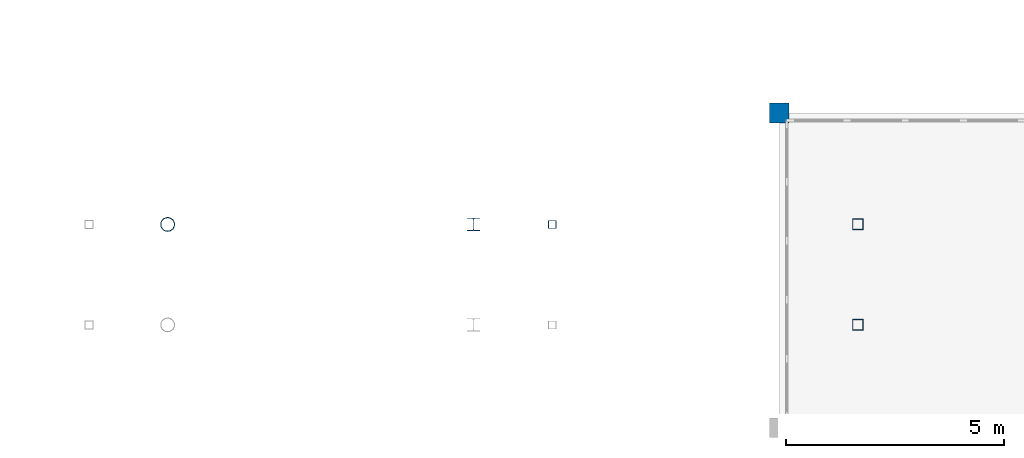
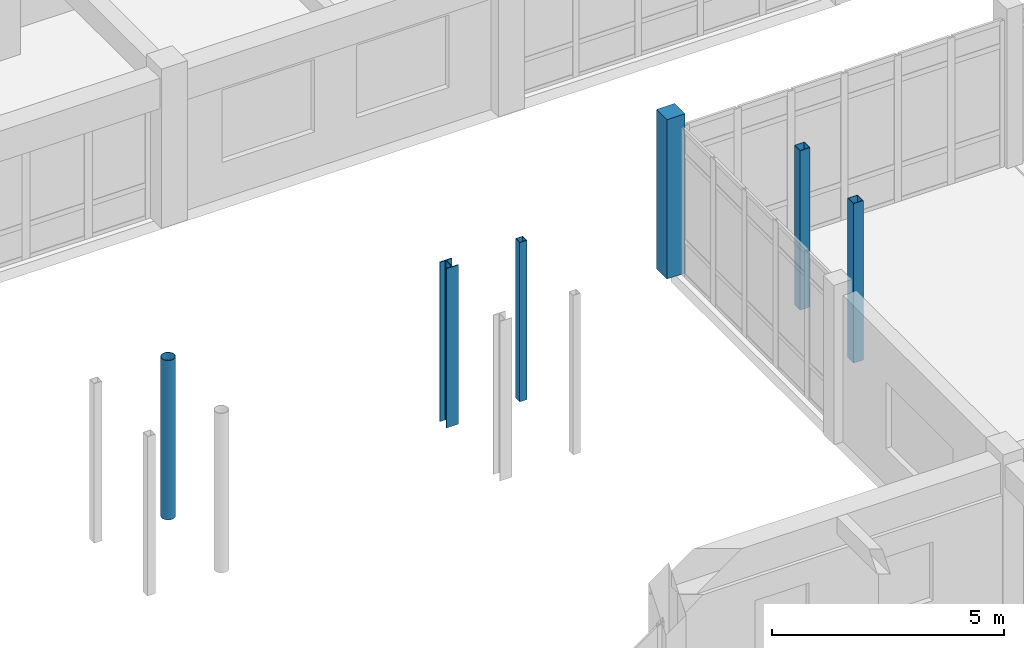
# One storey, part 27 of 147: 6 columns.
"""IFC4 building model written with IfcOpenShell, lengths in metres."""

from ifc_helpers import new_model, si_unit, direction, frame, origin, origin_2d, place, context, subcontext, project, spatial, rectangle, hollow_rectangle, hollow_circle, i_section, extrude, material, material_profile, profile_set, type_object, element, save


model = new_model("IFC4")

# Units and contexts
model_context = context("Model", 3, precision=1e-05, world=origin(), true_north=direction((0.0, 1.0)))
body_context = subcontext(model_context, "Body", "Model", "MODEL_VIEW")
ifc_project = project(units=[si_unit("LENGTHUNIT", "METRE"), si_unit("AREAUNIT", "SQUARE_METRE"), si_unit("VOLUMEUNIT", "CUBIC_METRE"), si_unit("PLANEANGLEUNIT", "RADIAN"), si_unit("MASSUNIT", "GRAM", prefix="KILO")], contexts=[model_context])

# Site, building, storey
site_placement = place(None, origin())
site = spatial("IfcSite", under=ifc_project, at=site_placement, CompositionType="ELEMENT")
building_placement = place(site_placement, origin())
building = spatial("IfcBuilding", under=site, at=building_placement, Name="Malvenik Polytechnic", CompositionType="ELEMENT")
storey_placement = place(building_placement, frame((0.0, 0.0, 5.10009765625)))
storey = spatial("IfcBuildingStorey", under=building, at=storey_placement, Name="L01", CompositionType="ELEMENT", Elevation=5.10009765625)

# Columns
ifc_material_1 = material(Name="Concrete C35/45", Category="concrete")
ifc_material_profile_1 = material_profile(ifc_material_1, rectangle(XDim=0.449951171875, YDim=0.449951171875, at=origin_2d()), Name="RC COL 450x450")
ifc_profile_set_1 = profile_set([ifc_material_profile_1], Name="Concrete C35/45")
column_type_1 = type_object("IfcColumnType", Name="STR-COL-C-09", PredefinedType="COLUMN", material=ifc_profile_set_1)
column_1_placement = place(storey_placement, frame((126.0, 108.0, 0.0), z_axis=(0.0, 0.0, 1.0), x_axis=(1.0, 0.0, 0.0)))
element("IfcColumn", 1, at=column_1_placement, inside=storey, type_object=column_type_1, Name="Column C-09 L01 (126.0,108.0)", PredefinedType="COLUMN", context=body_context, shape_type="SweptSolid", body=[
    extrude(rectangle(XDim=0.449951171875, YDim=0.449951171875, at=origin_2d()), origin(), (0.0, 0.0, 1.0), 4.199951171875),
])
ifc_material_2 = material(Name="Steel S355J2H", Category="steel")
ifc_material_profile_2 = material_profile(ifc_material_2, hollow_rectangle(XDim=0.25, YDim=0.25, WallThickness=0.010009765625, at=origin_2d()), Name="SHS 250x250x10.0")
ifc_profile_set_2 = profile_set([ifc_material_profile_2], Name="Steel S355J2H")
column_type_2 = type_object("IfcColumnType", Name="STR-SCOL-SC-01", PredefinedType="COLUMN", material=ifc_profile_set_2)
for number, where, z_axis, x_axis, name in (
    (2, (127.800048828125, 103.14990234375, 0.0), (0.0, 0.0, 1.0), (1.0, 0.0, 0.0), "Bridge-Ramp Support Column SC-01 L01"),
    (3, (127.800048828125, 105.449951171875, 0.0), (0.0, 0.0, 1.0), (1.0, 0.0, 0.0), "Bridge-Ramp Support Column SC-01 L01"),
):
    element("IfcColumn", number, at=place(storey_placement, frame(where, z_axis=z_axis, x_axis=x_axis)), inside=storey, type_object=column_type_2, Name=name, PredefinedType="COLUMN", context=body_context, shape_type="SweptSolid", body=[
        extrude(hollow_rectangle(XDim=0.25, YDim=0.25, WallThickness=0.010009765625, at=origin_2d()), origin(), (0.0, 0.0, 1.0), 4.199951171875),
    ])
ifc_material_profile_3 = material_profile(ifc_material_2, hollow_circle(Radius=0.161865234375, WallThickness=0.012451171875, at=origin_2d()), Name="CHS 323.9x12.5")
ifc_profile_set_3 = profile_set([ifc_material_profile_3], Name="Steel S355J2H")
column_type_3 = type_object("IfcColumnType", Name="STR-SCOL-SC-04", PredefinedType="COLUMN", material=ifc_profile_set_3)
column_2_placement = place(storey_placement, frame((112.0, 105.449951171875, 0.0), z_axis=(0.0, 0.0, 1.0), x_axis=(1.0, 0.0, 0.0)))
element("IfcColumn", 4, at=column_2_placement, inside=storey, type_object=column_type_3, Name="Bridge-Ramp Support Column SC-04 L01", PredefinedType="COLUMN", context=body_context, shape_type="SweptSolid", body=[
    extrude(hollow_circle(Radius=0.161865234375, WallThickness=0.012451171875, at=origin_2d()), origin(), (0.0, 0.0, 1.0), 4.199951171875),
])
ifc_material_3 = material(Name="Steel S355", Category="steel")
ifc_material_profile_4 = material_profile(ifc_material_3, i_section(OverallWidth=0.300048828125, OverallDepth=0.300048828125, WebThickness=0.010986328125, FlangeThickness=0.01904296875, FilletRadius=0.027099609375, at=origin_2d()), Name="HEB 300")
ifc_profile_set_4 = profile_set([ifc_material_profile_4], Name="Steel S355")
column_type_4 = type_object("IfcColumnType", Name="STR-SCOL-SC-05", PredefinedType="COLUMN", material=ifc_profile_set_4)
column_3_placement = place(storey_placement, frame((119.0, 105.449951171875, 0.0), z_axis=(0.0, 0.0, 1.0), x_axis=(1.0, 0.0, 0.0)))
element("IfcColumn", 5, at=column_3_placement, inside=storey, type_object=column_type_4, Name="Bridge-Ramp Support Column SC-05 L01", PredefinedType="COLUMN", context=body_context, shape_type="SweptSolid", body=[
    extrude(i_section(OverallWidth=0.300048828125, OverallDepth=0.300048828125, WebThickness=0.010986328125, FlangeThickness=0.01904296875, FilletRadius=0.027099609375, at=origin_2d()), origin(), (0.0, 0.0, 1.0), 4.199951171875),
])
ifc_material_profile_5 = material_profile(ifc_material_2, hollow_rectangle(XDim=0.179931640625, YDim=0.179931640625, WallThickness=0.008056640625, at=origin_2d()), Name="SHS 180x180x8.0")
ifc_profile_set_5 = profile_set([ifc_material_profile_5], Name="Steel S355J2H")
column_type_5 = type_object("IfcColumnType", Name="STR-SCOL-SC-06", PredefinedType="COLUMN", material=ifc_profile_set_5)
column_4_placement = place(storey_placement, frame((120.800048828125, 105.449951171875, 0.0), z_axis=(0.0, 0.0, 1.0), x_axis=(1.0, 0.0, 0.0)))
element("IfcColumn", 6, at=column_4_placement, inside=storey, type_object=column_type_5, Name="Bridge-Ramp Support Column SC-06 L01", PredefinedType="COLUMN", context=body_context, shape_type="SweptSolid", body=[
    extrude(hollow_rectangle(XDim=0.179931640625, YDim=0.179931640625, WallThickness=0.008056640625, at=origin_2d()), origin(), (0.0, 0.0, 1.0), 4.199951171875),
])

save(model, "model.ifc")
